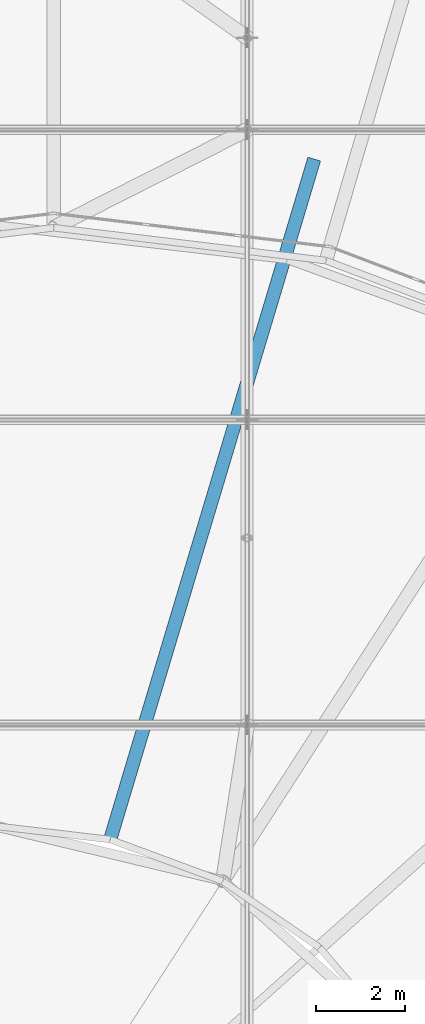
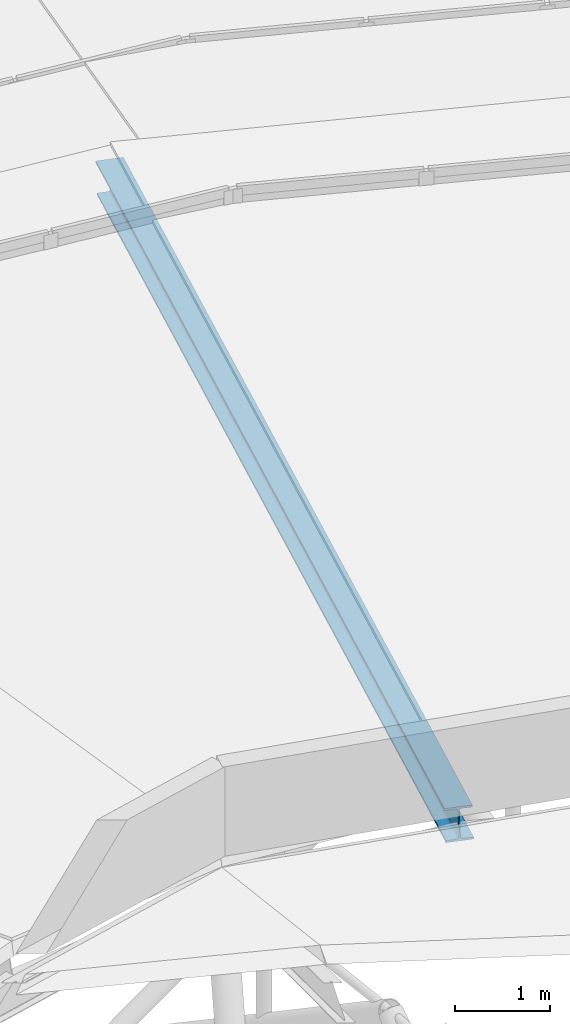
# One storey, part 71 of 173: 1 member.
"""IFC4 building model written with IfcOpenShell, lengths in metres."""

from ifc_helpers import new_model, si_unit, direction, frame, origin, origin_2d, place, context, subcontext, project, spatial, i_section, extrude, material, material_profile, profile_set, type_object, element, save


model = new_model("IFC4")

# Units and contexts
model_context = context("Model", 3, precision=1e-05, world=origin(), true_north=direction((0.0, 1.0)))
body_context = subcontext(model_context, "Body", "Model", "MODEL_VIEW")
ifc_project = project(units=[si_unit("LENGTHUNIT", "METRE"), si_unit("AREAUNIT", "SQUARE_METRE"), si_unit("VOLUMEUNIT", "CUBIC_METRE"), si_unit("PLANEANGLEUNIT", "RADIAN"), si_unit("MASSUNIT", "GRAM", prefix="KILO")], contexts=[model_context])

# Site, building, storey
site_placement = place(None, origin())
site = spatial("IfcSite", under=ifc_project, at=site_placement, CompositionType="ELEMENT")
building_placement = place(site_placement, origin())
building = spatial("IfcBuilding", under=site, at=building_placement, Name="Glasvene Arena", CompositionType="ELEMENT")
storey_placement = place(building_placement, frame((0.0, 0.0, 28.800048828125)))
storey = spatial("IfcBuildingStorey", under=building, at=storey_placement, Name="RF", CompositionType="ELEMENT", Elevation=28.800048828125)

# Member
ifc_material = material(Name="Steel S355J2", Category="steel")
ifc_material_profile = material_profile(ifc_material, i_section(OverallWidth=0.300048828125, OverallDepth=0.39990234375, WebThickness=0.013427734375, FlangeThickness=0.02392578125, FilletRadius=0.027099609375, at=origin_2d()), Name="HEB 400")
ifc_profile_set = profile_set([ifc_material_profile], Name="Steel S355J2")
member_type = type_object("IfcMemberType", Name="MB-CHORD-HEB400", PredefinedType="CHORD", material=ifc_profile_set)
member_placement = place(storey_placement, frame((93.498779296875, 92.7412109375, 10.550048828125), z_axis=(-0.283628556408, -0.945851734765, 0.157858600752), x_axis=(0.957861665887, -0.287229923621, 0.0)))
element("IfcMember", 1, at=member_placement, inside=storey, type_object=member_type, Name="Petal ring 5 radial rib 06", PredefinedType="CHORD", context=body_context, shape_type="SweptSolid", body=[
    extrude(i_section(OverallWidth=0.300048828125, OverallDepth=0.39990234375, WebThickness=0.013427734375, FlangeThickness=0.02392578125, FilletRadius=0.027099609375, at=origin_2d()), origin(), (0.0, 0.0, 1.0), 16.15234375),
])

save(model, "model.ifc")
